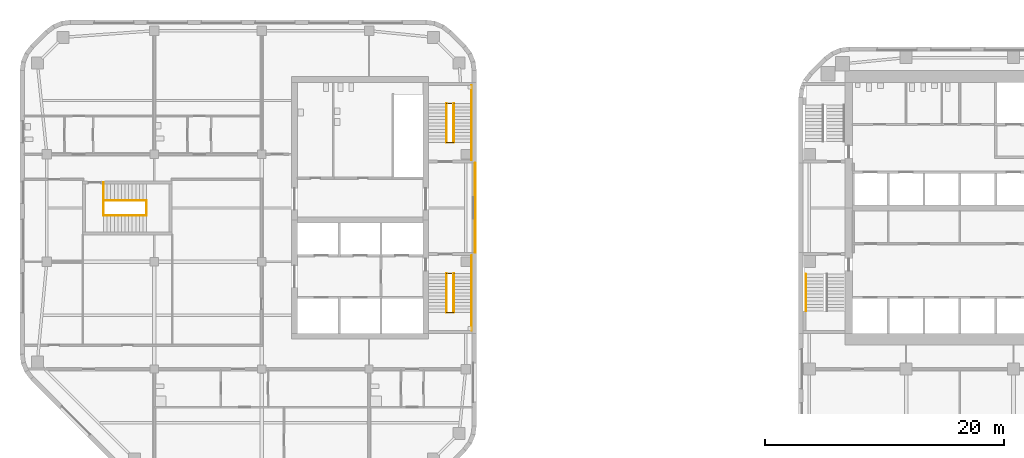
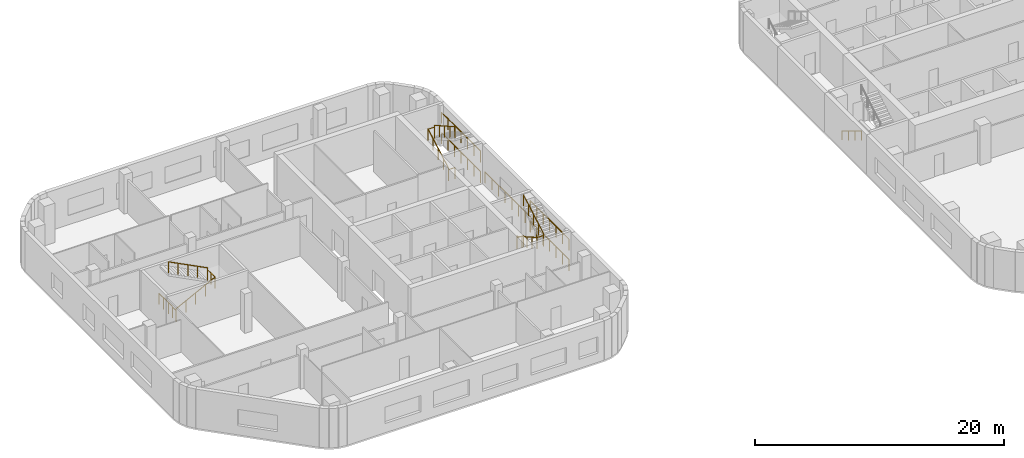
# One storey, part 13 of 15: 19 railings, 1 element without a shape of its own.
"""IFC4 building model written with IfcOpenShell, lengths in metres."""

from ifc_helpers import new_model, si_unit, direction, frame, origin, origin_2d, place, context, subcontext, project, spatial, circle, extrude, material, type_object, element, aggregate, save


model = new_model("IFC4")

# Units and contexts
model_context = context("Model", 3, precision=1e-05, world=origin(), true_north=direction((0.0, 1.0)))
body_context = subcontext(model_context, "Body", "Model", "MODEL_VIEW")
ifc_project = project(units=[si_unit("LENGTHUNIT", "METRE"), si_unit("AREAUNIT", "SQUARE_METRE"), si_unit("VOLUMEUNIT", "CUBIC_METRE"), si_unit("PLANEANGLEUNIT", "RADIAN"), si_unit("MASSUNIT", "GRAM", prefix="KILO")], contexts=[model_context])

# Site, building, storey
site_placement = place(None, origin())
site = spatial("IfcSite", under=ifc_project, at=site_placement, CompositionType="ELEMENT")
building_placement = place(site_placement, origin())
building = spatial("IfcBuilding", under=site, at=building_placement, Name="Cinnabar Reach Civic Tower", CompositionType="ELEMENT")
storey_placement = place(building_placement, frame((0.0, 0.0, 63.0)))
storey = spatial("IfcBuildingStorey", under=building, at=storey_placement, Name="L14", CompositionType="ELEMENT", Elevation=63.0)

# Stair, railing
ifc_material_1 = material(Name="Concrete C40/50", Category="concrete")
stair_type = type_object("IfcStairType", Name="T1 Exit stair, half-turn", PredefinedType="HALF_TURN_STAIR", material=ifc_material_1)
stair_placement = place(storey_placement, origin())
stair = element("IfcStair", 1, at=stair_placement, inside=storey, type_object=stair_type, Name="Stair T1-S1", PredefinedType="HALF_TURN_STAIR")
ifc_material_2 = material(Name="Stainless steel tube", Category="steel")
railing_type_1 = type_object("IfcRailingType", Name="T1 Stair handrail, stainless tube 48", PredefinedType="HANDRAIL", material=ifc_material_2)
railing_1_placement = place(storey_placement, frame((0.6, 25.95, 0.1667)))
railing_1 = element("IfcRailing", 2, at=railing_1_placement, type_object=railing_type_1, Name="T1-S1 handrail 1", PredefinedType="HANDRAIL", context=body_context, shape_type="SweptSolid", body=[
    extrude(circle(Radius=0.024, at=origin_2d()), frame((0.0, 0.0, 0.876), z_axis=(0.0, -0.859296971757, 0.511476992962), x_axis=(1.0, 0.0, 0.0)), (0.0, 0.0, 1.0), 3.5843),
    extrude(circle(Radius=0.021, at=origin_2d()), origin(), (0.0, 0.0, 1.0), 0.852),
    extrude(circle(Radius=0.021, at=origin_2d()), frame((0.0, -1.0267, 0.6111)), (0.0, 0.0, 1.0), 0.852),
    extrude(circle(Radius=0.021, at=origin_2d()), frame((0.0, -2.0533, 1.2222)), (0.0, 0.0, 1.0), 0.852),
    extrude(circle(Radius=0.021, at=origin_2d()), frame((0.0, -3.08, 1.8333)), (0.0, 0.0, 1.0), 0.852),
])
aggregate(stair, [railing_1])

# Railings
ifc_material_3 = material(Name="Stainless steel", Category="steel")
railing_type_2 = type_object("IfcRailingType", Name="T2 Stair guard 1100", PredefinedType="GUARDRAIL", material=ifc_material_3)
railing_2_placement = place(storey_placement, frame((-27.1, 27.75, 0.0)))
element("IfcRailing", 3, at=railing_2_placement, inside=storey, type_object=railing_type_2, Name="Corridor end guard", PredefinedType="GUARDRAIL", context=body_context, shape_type="SweptSolid", body=[
    extrude(circle(Radius=0.024, at=origin_2d()), frame((0.0, 0.0, 1.076), z_axis=(0.0, 1.0, 0.0), x_axis=(-1.0, 0.0, 0.0)), (0.0, 0.0, 1.0), 7.5),
    extrude(circle(Radius=0.021, at=origin_2d()), origin(), (0.0, 0.0, 1.0), 1.052),
    extrude(circle(Radius=0.021, at=origin_2d()), frame((0.0, 1.0714, 0.0)), (0.0, 0.0, 1.0), 1.052),
    extrude(circle(Radius=0.021, at=origin_2d()), frame((0.0, 2.1429, 0.0)), (0.0, 0.0, 1.0), 1.052),
    extrude(circle(Radius=0.021, at=origin_2d()), frame((0.0, 3.2143, 0.0)), (0.0, 0.0, 1.0), 1.052),
    extrude(circle(Radius=0.021, at=origin_2d()), frame((0.0, 4.2857, 0.0)), (0.0, 0.0, 1.0), 1.052),
    extrude(circle(Radius=0.021, at=origin_2d()), frame((0.0, 5.3571, 0.0)), (0.0, 0.0, 1.0), 1.052),
    extrude(circle(Radius=0.021, at=origin_2d()), frame((0.0, 6.4286, 0.0)), (0.0, 0.0, 1.0), 1.052),
    extrude(circle(Radius=0.021, at=origin_2d()), frame((0.0, 7.5, 0.0)), (0.0, 0.0, 1.0), 1.052),
])
for number, where, name in (
    (4, (-27.4, 21.25, 0.0), "Stair guard 1"),
    (5, (-27.4, 21.25, 2.0), "Stair guard 1"),
):
    element("IfcRailing", number, at=place(storey_placement, frame(where)), inside=storey, type_object=railing_type_2, Name=name, PredefinedType="GUARDRAIL", context=body_context, shape_type="SweptSolid", body=[
        extrude(circle(Radius=0.024, at=origin_2d()), frame((0.0, 0.0, 1.076), z_axis=(0.0, 1.0, 0.0), x_axis=(-1.0, 0.0, 0.0)), (0.0, 0.0, 1.0), 6.25),
        extrude(circle(Radius=0.021, at=origin_2d()), origin(), (0.0, 0.0, 1.0), 1.052),
        extrude(circle(Radius=0.021, at=origin_2d()), frame((0.0, 1.0417, 0.0)), (0.0, 0.0, 1.0), 1.052),
        extrude(circle(Radius=0.021, at=origin_2d()), frame((0.0, 2.0833, 0.0)), (0.0, 0.0, 1.0), 1.052),
        extrude(circle(Radius=0.021, at=origin_2d()), frame((0.0, 3.125, 0.0)), (0.0, 0.0, 1.0), 1.052),
        extrude(circle(Radius=0.021, at=origin_2d()), frame((0.0, 4.1667, 0.0)), (0.0, 0.0, 1.0), 1.052),
        extrude(circle(Radius=0.021, at=origin_2d()), frame((0.0, 5.2083, 0.0)), (0.0, 0.0, 1.0), 1.052),
        extrude(circle(Radius=0.021, at=origin_2d()), frame((0.0, 6.25, 0.0)), (0.0, 0.0, 1.0), 1.052),
    ])
for number, where, name in (
    (6, (-29.5, 26.0, 0.0), "Stair guard 1"),
    (7, (-29.5, 22.75, 2.0), "Stair guard 1"),
):
    element("IfcRailing", number, at=place(storey_placement, frame(where)), inside=storey, type_object=railing_type_2, Name=name, PredefinedType="GUARDRAIL", context=body_context, shape_type="SweptSolid", body=[
        extrude(circle(Radius=0.024, at=origin_2d()), frame((0.0, 0.0, 1.076), z_axis=(1.0, 0.0, 0.0), x_axis=(0.0, 1.0, 0.0)), (0.0, 0.0, 1.0), 0.6),
        extrude(circle(Radius=0.021, at=origin_2d()), origin(), (0.0, 0.0, 1.0), 1.052),
        extrude(circle(Radius=0.021, at=origin_2d()), frame((0.6, 0.0, 0.0)), (0.0, 0.0, 1.0), 1.052),
    ])
railing_3_placement = place(storey_placement, frame((-29.5, 26.0, 0.1538)))
element("IfcRailing", 8, at=railing_3_placement, inside=storey, type_object=railing_type_2, Name="Stair guard 1", PredefinedType="GUARDRAIL", context=body_context, shape_type="SweptSolid", body=[
    extrude(circle(Radius=0.024, at=origin_2d()), frame((0.0, 0.0, 1.076), z_axis=(0.0, -0.869501474428, 0.493930345258), x_axis=(1.0, 0.0, 0.0)), (0.0, 0.0, 1.0), 3.7378),
    extrude(circle(Radius=0.021, at=origin_2d()), origin(), (0.0, 0.0, 1.0), 1.052),
    extrude(circle(Radius=0.021, at=origin_2d()), frame((0.0, -0.8125, 0.4616)), (0.0, 0.0, 1.0), 1.052),
    extrude(circle(Radius=0.021, at=origin_2d()), frame((0.0, -1.625, 0.9231)), (0.0, 0.0, 1.0), 1.052),
    extrude(circle(Radius=0.021, at=origin_2d()), frame((0.0, -2.4375, 1.3847)), (0.0, 0.0, 1.0), 1.052),
    extrude(circle(Radius=0.021, at=origin_2d()), frame((0.0, -3.25, 1.8462)), (0.0, 0.0, 1.0), 1.052),
])
railing_4_placement = place(storey_placement, frame((-28.9, 22.75, 2.1538)))
element("IfcRailing", 9, at=railing_4_placement, inside=storey, type_object=railing_type_2, Name="Stair guard 1", PredefinedType="GUARDRAIL", context=body_context, shape_type="SweptSolid", body=[
    extrude(circle(Radius=0.024, at=origin_2d()), frame((0.0, 0.0, 1.076), z_axis=(0.0, 0.869501474428, 0.493930345258), x_axis=(-1.0, 0.0, 0.0)), (0.0, 0.0, 1.0), 3.7378),
    extrude(circle(Radius=0.021, at=origin_2d()), origin(), (0.0, 0.0, 1.0), 1.052),
    extrude(circle(Radius=0.021, at=origin_2d()), frame((0.0, 0.8125, 0.4615)), (0.0, 0.0, 1.0), 1.052),
    extrude(circle(Radius=0.021, at=origin_2d()), frame((0.0, 1.625, 0.9231)), (0.0, 0.0, 1.0), 1.052),
    extrude(circle(Radius=0.021, at=origin_2d()), frame((0.0, 2.4375, 1.3846)), (0.0, 0.0, 1.0), 1.052),
    extrude(circle(Radius=0.021, at=origin_2d()), frame((0.0, 3.25, 1.8462)), (0.0, 0.0, 1.0), 1.052),
])
for number, where, name in (
    (10, (-27.4, 35.5, 0.0), "Stair guard 2"),
    (11, (-27.4, 35.5, 2.0), "Stair guard 2"),
):
    element("IfcRailing", number, at=place(storey_placement, frame(where)), inside=storey, type_object=railing_type_2, Name=name, PredefinedType="GUARDRAIL", context=body_context, shape_type="SweptSolid", body=[
        extrude(circle(Radius=0.024, at=origin_2d()), frame((0.0, 0.0, 1.076), z_axis=(0.0, 1.0, 0.0), x_axis=(-1.0, 0.0, 0.0)), (0.0, 0.0, 1.0), 6.25),
        extrude(circle(Radius=0.021, at=origin_2d()), origin(), (0.0, 0.0, 1.0), 1.052),
        extrude(circle(Radius=0.021, at=origin_2d()), frame((0.0, 1.0417, 0.0)), (0.0, 0.0, 1.0), 1.052),
        extrude(circle(Radius=0.021, at=origin_2d()), frame((0.0, 2.0833, 0.0)), (0.0, 0.0, 1.0), 1.052),
        extrude(circle(Radius=0.021, at=origin_2d()), frame((0.0, 3.125, 0.0)), (0.0, 0.0, 1.0), 1.052),
        extrude(circle(Radius=0.021, at=origin_2d()), frame((0.0, 4.1667, 0.0)), (0.0, 0.0, 1.0), 1.052),
        extrude(circle(Radius=0.021, at=origin_2d()), frame((0.0, 5.2083, 0.0)), (0.0, 0.0, 1.0), 1.052),
        extrude(circle(Radius=0.021, at=origin_2d()), frame((0.0, 6.25, 0.0)), (0.0, 0.0, 1.0), 1.052),
    ])
for number, where, name in (
    (12, (-29.5, 37.0, 0.0), "Stair guard 2"),
    (13, (-29.5, 40.25, 2.0), "Stair guard 2"),
):
    element("IfcRailing", number, at=place(storey_placement, frame(where)), inside=storey, type_object=railing_type_2, Name=name, PredefinedType="GUARDRAIL", context=body_context, shape_type="SweptSolid", body=[
        extrude(circle(Radius=0.024, at=origin_2d()), frame((0.0, 0.0, 1.076), z_axis=(1.0, 0.0, 0.0), x_axis=(0.0, 1.0, 0.0)), (0.0, 0.0, 1.0), 0.6),
        extrude(circle(Radius=0.021, at=origin_2d()), origin(), (0.0, 0.0, 1.0), 1.052),
        extrude(circle(Radius=0.021, at=origin_2d()), frame((0.6, 0.0, 0.0)), (0.0, 0.0, 1.0), 1.052),
    ])
railing_5_placement = place(storey_placement, frame((-29.5, 37.0, 0.1538)))
element("IfcRailing", 14, at=railing_5_placement, inside=storey, type_object=railing_type_2, Name="Stair guard 2", PredefinedType="GUARDRAIL", context=body_context, shape_type="SweptSolid", body=[
    extrude(circle(Radius=0.024, at=origin_2d()), frame((0.0, 0.0, 1.076), z_axis=(0.0, 0.869501474428, 0.493930345258), x_axis=(-1.0, 0.0, 0.0)), (0.0, 0.0, 1.0), 3.7378),
    extrude(circle(Radius=0.021, at=origin_2d()), origin(), (0.0, 0.0, 1.0), 1.052),
    extrude(circle(Radius=0.021, at=origin_2d()), frame((0.0, 0.8125, 0.4616)), (0.0, 0.0, 1.0), 1.052),
    extrude(circle(Radius=0.021, at=origin_2d()), frame((0.0, 1.625, 0.9231)), (0.0, 0.0, 1.0), 1.052),
    extrude(circle(Radius=0.021, at=origin_2d()), frame((0.0, 2.4375, 1.3847)), (0.0, 0.0, 1.0), 1.052),
    extrude(circle(Radius=0.021, at=origin_2d()), frame((0.0, 3.25, 1.8462)), (0.0, 0.0, 1.0), 1.052),
])
railing_6_placement = place(storey_placement, frame((-28.9, 40.25, 2.1538)))
element("IfcRailing", 15, at=railing_6_placement, inside=storey, type_object=railing_type_2, Name="Stair guard 2", PredefinedType="GUARDRAIL", context=body_context, shape_type="SweptSolid", body=[
    extrude(circle(Radius=0.024, at=origin_2d()), frame((0.0, 0.0, 1.076), z_axis=(0.0, -0.869501474428, 0.493930345258), x_axis=(1.0, 0.0, 0.0)), (0.0, 0.0, 1.0), 3.7378),
    extrude(circle(Radius=0.021, at=origin_2d()), origin(), (0.0, 0.0, 1.0), 1.052),
    extrude(circle(Radius=0.021, at=origin_2d()), frame((0.0, -0.8125, 0.4615)), (0.0, 0.0, 1.0), 1.052),
    extrude(circle(Radius=0.021, at=origin_2d()), frame((0.0, -1.625, 0.9231)), (0.0, 0.0, 1.0), 1.052),
    extrude(circle(Radius=0.021, at=origin_2d()), frame((0.0, -2.4375, 1.3846)), (0.0, 0.0, 1.0), 1.052),
    extrude(circle(Radius=0.021, at=origin_2d()), frame((0.0, -3.25, 1.8462)), (0.0, 0.0, 1.0), 1.052),
])
railing_7_placement = place(storey_placement, frame((-58.25, 30.875, 0.0)))
element("IfcRailing", 16, at=railing_7_placement, inside=storey, type_object=railing_type_2, Name="Stair guard 3", PredefinedType="GUARDRAIL", context=body_context, shape_type="SweptSolid", body=[
    extrude(circle(Radius=0.024, at=origin_2d()), frame((0.0, 0.0, 1.076), z_axis=(0.0, 1.0, 0.0), x_axis=(-1.0, 0.0, 0.0)), (0.0, 0.0, 1.0), 1.25),
    extrude(circle(Radius=0.021, at=origin_2d()), origin(), (0.0, 0.0, 1.0), 1.052),
    extrude(circle(Radius=0.021, at=origin_2d()), frame((0.0, 0.625, 0.0)), (0.0, 0.0, 1.0), 1.052),
    extrude(circle(Radius=0.021, at=origin_2d()), frame((0.0, 1.25, 0.0)), (0.0, 0.0, 1.0), 1.052),
])
railing_8_placement = place(storey_placement, frame((-58.25, 32.125, 0.0)))
element("IfcRailing", 17, at=railing_8_placement, inside=storey, type_object=railing_type_2, Name="Stair guard 3", PredefinedType="GUARDRAIL", context=body_context, shape_type="SweptSolid", body=[
    extrude(circle(Radius=0.024, at=origin_2d()), frame((0.0, 0.0, 1.076), z_axis=(0.0, 1.0, 0.0), x_axis=(-1.0, 0.0, 0.0)), (0.0, 0.0, 1.0), 1.5),
    extrude(circle(Radius=0.021, at=origin_2d()), origin(), (0.0, 0.0, 1.0), 1.052),
    extrude(circle(Radius=0.021, at=origin_2d()), frame((0.0, 0.75, 0.0)), (0.0, 0.0, 1.0), 1.052),
    extrude(circle(Radius=0.021, at=origin_2d()), frame((0.0, 1.5, 0.0)), (0.0, 0.0, 1.0), 1.052),
])
railing_9_placement = place(storey_placement, frame((-54.65, 30.875, 2.0)))
element("IfcRailing", 18, at=railing_9_placement, inside=storey, type_object=railing_type_2, Name="Stair guard 3", PredefinedType="GUARDRAIL", context=body_context, shape_type="SweptSolid", body=[
    extrude(circle(Radius=0.024, at=origin_2d()), frame((0.0, 0.0, 1.076), z_axis=(0.0, 1.0, 0.0), x_axis=(-1.0, 0.0, 0.0)), (0.0, 0.0, 1.0), 1.25),
    extrude(circle(Radius=0.021, at=origin_2d()), origin(), (0.0, 0.0, 1.0), 1.052),
    extrude(circle(Radius=0.021, at=origin_2d()), frame((0.0, 0.625, 0.0)), (0.0, 0.0, 1.0), 1.052),
    extrude(circle(Radius=0.021, at=origin_2d()), frame((0.0, 1.25, 0.0)), (0.0, 0.0, 1.0), 1.052),
])
railing_10_placement = place(storey_placement, frame((-58.25, 30.875, 0.1538)))
element("IfcRailing", 19, at=railing_10_placement, inside=storey, type_object=railing_type_2, Name="Stair guard 3", PredefinedType="GUARDRAIL", context=body_context, shape_type="SweptSolid", body=[
    extrude(circle(Radius=0.024, at=origin_2d()), frame((0.0, 0.0, 1.076), z_axis=(0.889812830738, 0.0, 0.45632568003), x_axis=(0.0, 1.0, 0.0)), (0.0, 0.0, 1.0), 4.0458),
    extrude(circle(Radius=0.021, at=origin_2d()), origin(), (0.0, 0.0, 1.0), 1.052),
    extrude(circle(Radius=0.021, at=origin_2d()), frame((0.9, 0.0, 0.4616)), (0.0, 0.0, 1.0), 1.052),
    extrude(circle(Radius=0.021, at=origin_2d()), frame((1.8, 0.0, 0.9231)), (0.0, 0.0, 1.0), 1.052),
    extrude(circle(Radius=0.021, at=origin_2d()), frame((2.7, 0.0, 1.3847)), (0.0, 0.0, 1.0), 1.052),
    extrude(circle(Radius=0.021, at=origin_2d()), frame((3.6, 0.0, 1.8462)), (0.0, 0.0, 1.0), 1.052),
])
railing_11_placement = place(storey_placement, frame((-54.65, 32.125, 2.1538)))
element("IfcRailing", 20, at=railing_11_placement, inside=storey, type_object=railing_type_2, Name="Stair guard 3", PredefinedType="GUARDRAIL", context=body_context, shape_type="SweptSolid", body=[
    extrude(circle(Radius=0.024, at=origin_2d()), frame((0.0, 0.0, 1.076), z_axis=(-0.889812830738, 0.0, 0.45632568003), x_axis=(0.0, -1.0, 0.0)), (0.0, 0.0, 1.0), 4.0458),
    extrude(circle(Radius=0.021, at=origin_2d()), origin(), (0.0, 0.0, 1.0), 1.052),
    extrude(circle(Radius=0.021, at=origin_2d()), frame((-0.9, 0.0, 0.4615)), (0.0, 0.0, 1.0), 1.052),
    extrude(circle(Radius=0.021, at=origin_2d()), frame((-1.8, 0.0, 0.9231)), (0.0, 0.0, 1.0), 1.052),
    extrude(circle(Radius=0.021, at=origin_2d()), frame((-2.7, 0.0, 1.3846)), (0.0, 0.0, 1.0), 1.052),
    extrude(circle(Radius=0.021, at=origin_2d()), frame((-3.6, 0.0, 1.8462)), (0.0, 0.0, 1.0), 1.052),
])

save(model, "model.ifc")
